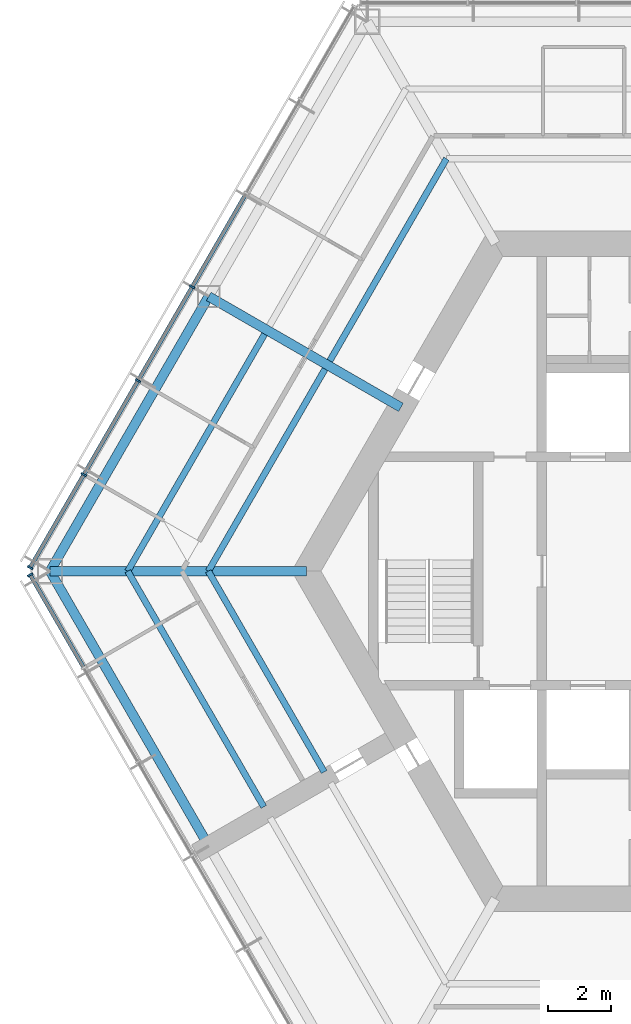
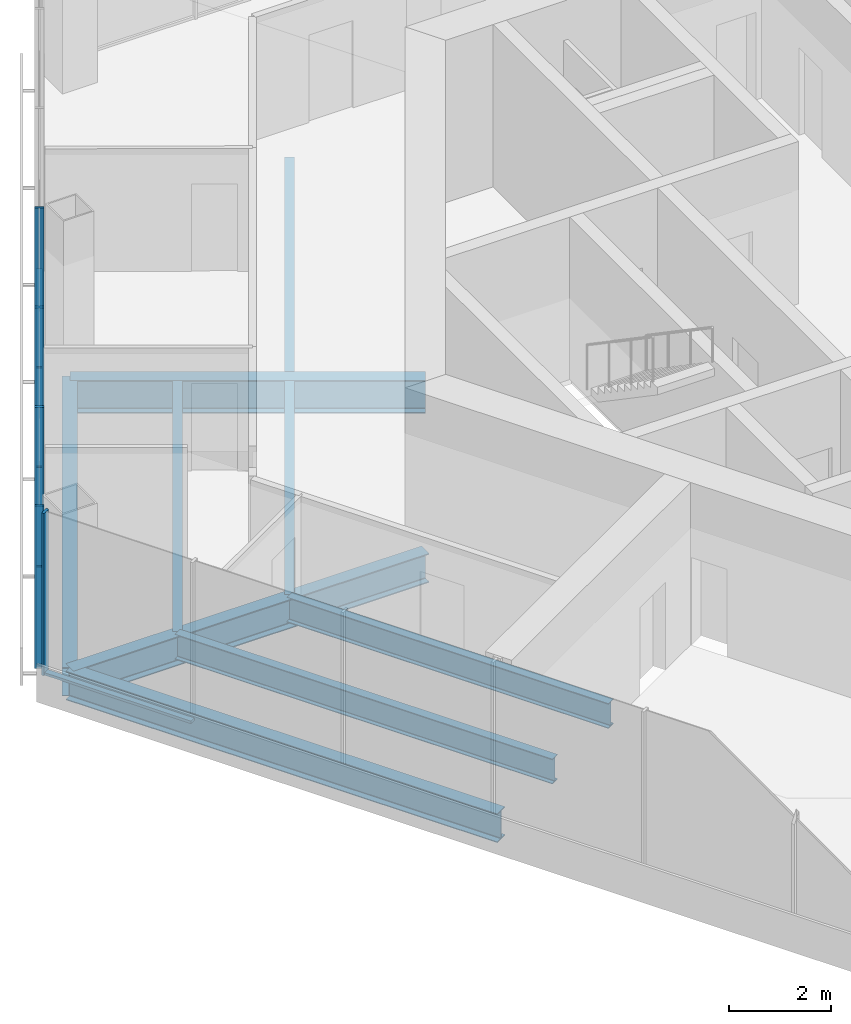
# One storey, part 3 of 13: 10 members, 9 beams, 2 elements without a shape of their own.
"""IFC4 building model written with IfcOpenShell, lengths in metres."""

from ifc_helpers import new_model, si_unit, direction, frame, origin, origin_2d, place, context, subcontext, project, spatial, rectangle, i_section, extrude, material, material_profile, profile_set, type_object, element, aggregate, save


model = new_model("IFC4")

# Units and contexts
model_context = context("Model", 3, precision=1e-05, world=origin(), true_north=direction((0.0, 1.0)))
body_context = subcontext(model_context, "Body", "Model", "MODEL_VIEW")
ifc_project = project(units=[si_unit("LENGTHUNIT", "METRE"), si_unit("AREAUNIT", "SQUARE_METRE"), si_unit("VOLUMEUNIT", "CUBIC_METRE"), si_unit("PLANEANGLEUNIT", "RADIAN"), si_unit("MASSUNIT", "GRAM", prefix="KILO")], contexts=[model_context])

# Site, building, storey
site_placement = place(None, origin())
site = spatial("IfcSite", under=ifc_project, at=site_placement, CompositionType="ELEMENT")
building_placement = place(site_placement, origin())
building = spatial("IfcBuilding", under=site, at=building_placement, Name="Kasaneha Research Tower", CompositionType="ELEMENT")
storey_placement = place(building_placement, frame((0.0, 0.0, 271.300048828125)))
storey = spatial("IfcBuildingStorey", under=building, at=storey_placement, Name="L68", CompositionType="ELEMENT", Elevation=271.300048828125)

# Beams
ifc_material_1 = material(Name="Steel SN490B", Category="steel")
ifc_material_profile_1 = material_profile(ifc_material_1, i_section(OverallWidth=0.199951171875, OverallDepth=0.60009765625, WebThickness=0.010986328125, FlangeThickness=0.01708984375, FilletRadius=0.012939453125, at=origin_2d()), Name="H-600x200x11x17")
ifc_profile_set_1 = profile_set([ifc_material_profile_1], Name="Steel SN490B")
beam_type_1 = type_object("IfcBeamType", Name="B1-3 secondary beam H-600x200x11x17", PredefinedType="JOIST", material=ifc_profile_set_1)
for number, where, z_axis, x_axis, name in (
    (1, (-7.505615234375, 13.0, -0.449951171875), (-0.499994443168, -0.866028611999, 0.0), (0.866028611999, -0.499994443168, 0.0), "Secondary beam RS150L1 L68"),
    (2, (-15.010986328125, 0.0, -0.449951171875), (0.499994443168, 0.866028611999, 0.0), (-0.866028611999, 0.499994443168, 0.0), "Secondary beam RS150R1 L68"),
):
    element("IfcBeam", number, at=place(storey_placement, frame(where, z_axis=z_axis, x_axis=x_axis)), inside=storey, type_object=beam_type_1, Name=name, PredefinedType="JOIST", context=body_context, shape_type="SweptSolid", body=[
        extrude(i_section(OverallWidth=0.199951171875, OverallDepth=0.60009765625, WebThickness=0.010986328125, FlangeThickness=0.01708984375, FilletRadius=0.012939453125, at=origin_2d()), origin(), (0.0, 0.0, 1.0), 7.35546875),
    ])
beam_1_placement = place(storey_placement, frame((-17.551513671875, 0.0, -0.449951171875), z_axis=(0.5000050195, 0.866022505755, 0.0), x_axis=(-0.866022505755, 0.5000050195, 0.0)))
element("IfcBeam", 3, at=beam_1_placement, inside=storey, type_object=beam_type_1, Name="Secondary beam RS150R2 L68", PredefinedType="JOIST", context=body_context, shape_type="SweptSolid", body=[
    extrude(i_section(OverallWidth=0.199951171875, OverallDepth=0.60009765625, WebThickness=0.010986328125, FlangeThickness=0.01708984375, FilletRadius=0.012939453125, at=origin_2d()), origin(), (0.0, 0.0, 1.0), 8.6259765625),
])
beam_2_placement = place(storey_placement, frame((-15.010986328125, 0.0, -0.449951171875), z_axis=(0.499974128195, -0.866040340363, 0.0), x_axis=(0.866040340363, 0.499974128195, 0.0)))
element("IfcBeam", 4, at=beam_2_placement, inside=storey, type_object=beam_type_1, Name="Secondary beam RS210L1 L68", PredefinedType="JOIST", context=body_context, shape_type="SweptSolid", body=[
    extrude(i_section(OverallWidth=0.199951171875, OverallDepth=0.60009765625, WebThickness=0.010986328125, FlangeThickness=0.01708984375, FilletRadius=0.012939453125, at=origin_2d()), origin(), (0.0, 0.0, 1.0), 7.3056640625),
])
beam_3_placement = place(storey_placement, frame((-17.551513671875, 0.0, -0.449951171875), z_axis=(0.500000102728, -0.866025344474, 0.0), x_axis=(0.866025344474, 0.500000102728, 0.0)))
element("IfcBeam", 5, at=beam_3_placement, inside=storey, type_object=beam_type_1, Name="Secondary beam RS210L2 L68", PredefinedType="JOIST", context=body_context, shape_type="SweptSolid", body=[
    extrude(i_section(OverallWidth=0.199951171875, OverallDepth=0.60009765625, WebThickness=0.010986328125, FlangeThickness=0.01708984375, FilletRadius=0.012939453125, at=origin_2d()), origin(), (0.0, 0.0, 1.0), 8.57568359375),
])

# Curtain wall, members
ifc_material_2 = material(Name="Glass and aluminium", Category="aluminium")
curtain_wall_type = type_object("IfcCurtainWallType", Name="Crown curtain wall", PredefinedType="USERDEFINED", material=ifc_material_2)
curtain_wall_1_placement = place(storey_placement, origin())
curtain_wall_1 = element("IfcCurtainWall", 6, at=curtain_wall_1_placement, inside=storey, type_object=curtain_wall_type, Name="CW-C L68 run 03a", ObjectType="UNITISED CURTAIN WALL", PredefinedType="USERDEFINED")
ifc_material_3 = material(Name="Aluminium 6063-T6", Category="aluminium")
ifc_material_profile_2 = material_profile(ifc_material_3, rectangle(XDim=0.06005859375, YDim=0.179931640625, at=origin_2d()), Name="CW-C mullion 60x180")
ifc_profile_set_2 = profile_set([ifc_material_profile_2], Name="Aluminium 6063-T6")
member_type_1 = type_object("IfcMemberType", Name="CW-C mullion", PredefinedType="MULLION", material=ifc_profile_set_2)
member_1_placement = place(storey_placement, frame((-15.51953125, 8.960205078125, 0.0), z_axis=(0.0, 0.0, 1.0), x_axis=(-0.499999995722, -0.866025406254, 0.0)))
member_1 = element("IfcMember", 7, at=member_1_placement, type_object=member_type_1, Name="CW-C mullion 4", PredefinedType="MULLION", context=body_context, shape_type="SweptSolid", body=[
    extrude(rectangle(XDim=0.06005859375, YDim=0.179931640625, at=origin_2d()), origin(), (0.0, 0.0, 1.0), 3.89990234375),
])
member_2_placement = place(storey_placement, frame((-17.227294921875, 6.00244140625, 0.0), z_axis=(0.0, 0.0, 1.0), x_axis=(-0.499999995722, -0.866025406254, 0.0)))
member_2 = element("IfcMember", 8, at=member_2_placement, type_object=member_type_1, Name="CW-C mullion 5", PredefinedType="MULLION", context=body_context, shape_type="SweptSolid", body=[
    extrude(rectangle(XDim=0.06005859375, YDim=0.179931640625, at=origin_2d()), origin(), (0.0, 0.0, 1.0), 3.89990234375),
])
member_3_placement = place(storey_placement, frame((-18.93505859375, 3.04443359375, 0.0), z_axis=(0.0, 0.0, 1.0), x_axis=(-0.499999995722, -0.866025406254, 0.0)))
member_3 = element("IfcMember", 9, at=member_3_placement, type_object=member_type_1, Name="CW-C mullion 6", PredefinedType="MULLION", context=body_context, shape_type="SweptSolid", body=[
    extrude(rectangle(XDim=0.06005859375, YDim=0.179931640625, at=origin_2d()), origin(), (0.0, 0.0, 1.0), 3.89990234375),
])
member_4_placement = place(storey_placement, frame((-20.6279296875, 0.112548828125, 0.0), z_axis=(0.0, 0.0, 1.0), x_axis=(-0.499999995722, -0.866025406254, 0.0)))
member_4 = element("IfcMember", 10, at=member_4_placement, type_object=member_type_1, Name="CW-C mullion 7", PredefinedType="MULLION", context=body_context, shape_type="SweptSolid", body=[
    extrude(rectangle(XDim=0.06005859375, YDim=0.179931640625, at=origin_2d()), origin(), (0.0, 0.0, 1.0), 3.89990234375),
])

# Curtain wall, member
curtain_wall_2_placement = place(storey_placement, origin())
curtain_wall_2 = element("IfcCurtainWall", 11, at=curtain_wall_2_placement, inside=storey, type_object=curtain_wall_type, Name="CW-C L68 run 04a", ObjectType="UNITISED CURTAIN WALL", PredefinedType="USERDEFINED")
member_5_placement = place(storey_placement, frame((-20.6279296875, -0.112548828125, 0.0), z_axis=(0.0, 0.0, 1.0), x_axis=(0.499999995722, -0.866025406254, 0.0)))
member_5 = element("IfcMember", 12, at=member_5_placement, type_object=member_type_1, Name="CW-C mullion 1", PredefinedType="MULLION", context=body_context, shape_type="SweptSolid", body=[
    extrude(rectangle(XDim=0.06005859375, YDim=0.179931640625, at=origin_2d()), origin(), (0.0, 0.0, 1.0), 3.89990234375),
])

# Member
ifc_material_4 = material(Name="Aluminium 6063-T6", Category="aluminium")
ifc_material_profile_3 = material_profile(ifc_material_4, rectangle(XDim=0.1298828125, YDim=0.06005859375, at=origin_2d()), Name="CW-C transom 130x60")
ifc_profile_set_3 = profile_set([ifc_material_profile_3], Name="Aluminium 6063-T6")
member_type_2 = type_object("IfcMemberType", Name="CW-C transom", PredefinedType="USERDEFINED", material=ifc_profile_set_3)
member_6_placement = place(storey_placement, frame((-13.826904296875, 11.89208984375, 0.030029296875), z_axis=(-0.500020578564, -0.866013522419, 0.0), x_axis=(0.866013522419, -0.500020578564, 0.0)))
member_6 = element("IfcMember", 13, at=member_6_placement, type_object=member_type_2, Name="CW-C transom 3", ObjectType="TRANSOM", PredefinedType="USERDEFINED", context=body_context, shape_type="SweptSolid", body=[
    extrude(rectangle(XDim=0.1298828125, YDim=0.06005859375, at=origin_2d()), origin(), (0.0, 0.0, 1.0), 3.355224609375),
])

member_7_placement = place(storey_placement, frame((-15.53466796875, 8.934326171875, 0.030029296875), z_axis=(-0.499989072476, -0.866031712701, 0.0), x_axis=(0.866031712701, -0.499989072476, 0.0)))
member_7 = element("IfcMember", 14, at=member_7_placement, type_object=member_type_2, Name="CW-C transom 4", ObjectType="TRANSOM", PredefinedType="USERDEFINED", context=body_context, shape_type="SweptSolid", body=[
    extrude(rectangle(XDim=0.1298828125, YDim=0.06005859375, at=origin_2d()), origin(), (0.0, 0.0, 1.0), 3.35546875),
])

member_8_placement = place(storey_placement, frame((-17.242431640625, 5.976318359375, 0.030029296875), z_axis=(-0.500020578564, -0.866013522419, 0.0), x_axis=(0.866013522419, -0.500020578564, 0.0)))
member_8 = element("IfcMember", 15, at=member_8_placement, type_object=member_type_2, Name="CW-C transom 5", ObjectType="TRANSOM", PredefinedType="USERDEFINED", context=body_context, shape_type="SweptSolid", body=[
    extrude(rectangle(XDim=0.1298828125, YDim=0.06005859375, at=origin_2d()), origin(), (0.0, 0.0, 1.0), 3.355224609375),
])

member_9_placement = place(storey_placement, frame((-18.9501953125, 3.0185546875, 0.030029296875), z_axis=(-0.49997666526, -0.866038875684, 0.0), x_axis=(0.866038875684, -0.49997666526, 0.0)))
member_9 = element("IfcMember", 16, at=member_9_placement, type_object=member_type_2, Name="CW-C transom 6", ObjectType="TRANSOM", PredefinedType="USERDEFINED", context=body_context, shape_type="SweptSolid", body=[
    extrude(rectangle(XDim=0.1298828125, YDim=0.06005859375, at=origin_2d()), origin(), (0.0, 0.0, 1.0), 3.325439453125),
])

aggregate(curtain_wall_1, [member_1, member_2, member_3, member_4, member_6, member_7, member_8, member_9])

member_10_placement = place(storey_placement, frame((-20.61279296875, -0.138671875, 0.030029296875), z_axis=(0.49997666526, -0.866038875684, 0.0), x_axis=(0.866038875684, 0.49997666526, 0.0)))
member_10 = element("IfcMember", 17, at=member_10_placement, type_object=member_type_2, Name="CW-C transom 1", ObjectType="TRANSOM", PredefinedType="USERDEFINED", context=body_context, shape_type="SweptSolid", body=[
    extrude(rectangle(XDim=0.1298828125, YDim=0.06005859375, at=origin_2d()), origin(), (0.0, 0.0, 1.0), 3.325439453125),
])

aggregate(curtain_wall_2, [member_5, member_10])

# Beams
ifc_material_5 = material(Name="Steel SN490B", Category="steel")
ifc_material_profile_4 = material_profile(ifc_material_5, i_section(OverallWidth=0.300048828125, OverallDepth=0.699951171875, WebThickness=0.012939453125, FlangeThickness=0.02392578125, FilletRadius=0.01806640625, at=origin_2d()), Name="H-700x300x13x24")
ifc_profile_set_4 = profile_set([ifc_material_profile_4], Name="Steel SN490B")
beam_type_2 = type_object("IfcBeamType", Name="G1-3 radial girder H-700x300x13x24", PredefinedType="BEAM", material=ifc_profile_set_4)
beam_4_placement = place(storey_placement, frame((-11.92236328125, 0.0, -0.5), z_axis=(-1.0, 0.0, 0.0), x_axis=(0.0, -1.0, 0.0)))
element("IfcBeam", 18, at=beam_4_placement, inside=storey, type_object=beam_type_2, Name="Radial girder RV180 L68", PredefinedType="BEAM", context=body_context, shape_type="SweptSolid", body=[
    extrude(i_section(OverallWidth=0.300048828125, OverallDepth=0.699951171875, WebThickness=0.012939453125, FlangeThickness=0.02392578125, FilletRadius=0.01806640625, at=origin_2d()), origin(), (0.0, 0.0, 1.0), 8.07763671875),
])
ifc_material_6 = material(Name="Steel SN490B", Category="steel")
ifc_material_profile_5 = material_profile(ifc_material_6, i_section(OverallWidth=0.300048828125, OverallDepth=0.800048828125, WebThickness=0.013916015625, FlangeThickness=0.02587890625, FilletRadius=0.01806640625, at=origin_2d()), Name="H-800x300x14x26")
ifc_profile_set_5 = profile_set([ifc_material_profile_5], Name="Steel SN490B")
beam_type_3 = type_object("IfcBeamType", Name="G2-3 radial girder H-800x300x14x26", PredefinedType="BEAM", material=ifc_profile_set_5)
beam_5_placement = place(storey_placement, frame((-8.941650390625, 5.16259765625, -0.550048828125), z_axis=(-0.866039713508, 0.499975214012, 0.0), x_axis=(-0.499975214012, -0.866039713508, 0.0)))
element("IfcBeam", 19, at=beam_5_placement, inside=storey, type_object=beam_type_3, Name="Radial girder RM150 L68", PredefinedType="BEAM", context=body_context, shape_type="SweptSolid", body=[
    extrude(i_section(OverallWidth=0.300048828125, OverallDepth=0.800048828125, WebThickness=0.013916015625, FlangeThickness=0.02587890625, FilletRadius=0.01806640625, at=origin_2d()), origin(), (0.0, 0.0, 1.0), 6.995361328125),
])
ifc_material_7 = material(Name="Steel SN490B", Category="steel")
ifc_material_profile_6 = material_profile(ifc_material_7, i_section(OverallWidth=0.300048828125, OverallDepth=0.69189453125, WebThickness=0.012939453125, FlangeThickness=0.02001953125, FilletRadius=0.01806640625, at=origin_2d()), Name="H-692x300x13x20")
ifc_profile_set_6 = profile_set([ifc_material_profile_6], Name="Steel SN490B")
beam_type_4 = type_object("IfcBeamType", Name="G3-3 plate edge girder H-692x300x13x20", PredefinedType="BEAM", material=ifc_profile_set_6)
beam_6_placement = place(storey_placement, frame((-20.0, 0.0, -0.49609375), z_axis=(0.49999201416, -0.866030014362, 0.0), x_axis=(0.866030014362, 0.49999201416, 0.0)))
element("IfcBeam", 20, at=beam_6_placement, inside=storey, type_object=beam_type_4, Name="Plate edge girder PEBP L68", PredefinedType="BEAM", context=body_context, shape_type="SweptSolid", body=[
    extrude(i_section(OverallWidth=0.300048828125, OverallDepth=0.69189453125, WebThickness=0.012939453125, FlangeThickness=0.02001953125, FilletRadius=0.01806640625, at=origin_2d()), origin(), (0.0, 0.0, 1.0), 9.800048828125),
])
ifc_material_8 = material(Name="Steel SN490B", Category="steel")
ifc_material_profile_7 = material_profile(ifc_material_8, i_section(OverallWidth=0.300048828125, OverallDepth=0.69189453125, WebThickness=0.012939453125, FlangeThickness=0.02001953125, FilletRadius=0.01806640625, at=origin_2d()), Name="H-692x300x13x20")
ifc_profile_set_7 = profile_set([ifc_material_profile_7], Name="Steel SN490B")
beam_type_5 = type_object("IfcBeamType", Name="SB1-3 spandrel beam H-692x300x13x20", PredefinedType="SPANDREL", material=ifc_profile_set_7)
beam_7_placement = place(storey_placement, frame((-20.0, 0.0, -0.49609375), z_axis=(0.500004234368, 0.866022959057, 0.0), x_axis=(-0.866022959057, 0.500004234368, 0.0)))
element("IfcBeam", 21, at=beam_7_placement, inside=storey, type_object=beam_type_5, Name="Spandrel beam SR150R L68", PredefinedType="SPANDREL", context=body_context, shape_type="SweptSolid", body=[
    extrude(i_section(OverallWidth=0.300048828125, OverallDepth=0.69189453125, WebThickness=0.012939453125, FlangeThickness=0.02001953125, FilletRadius=0.01806640625, at=origin_2d()), origin(), (0.0, 0.0, 1.0), 10.0),
])

save(model, "model.ifc")
